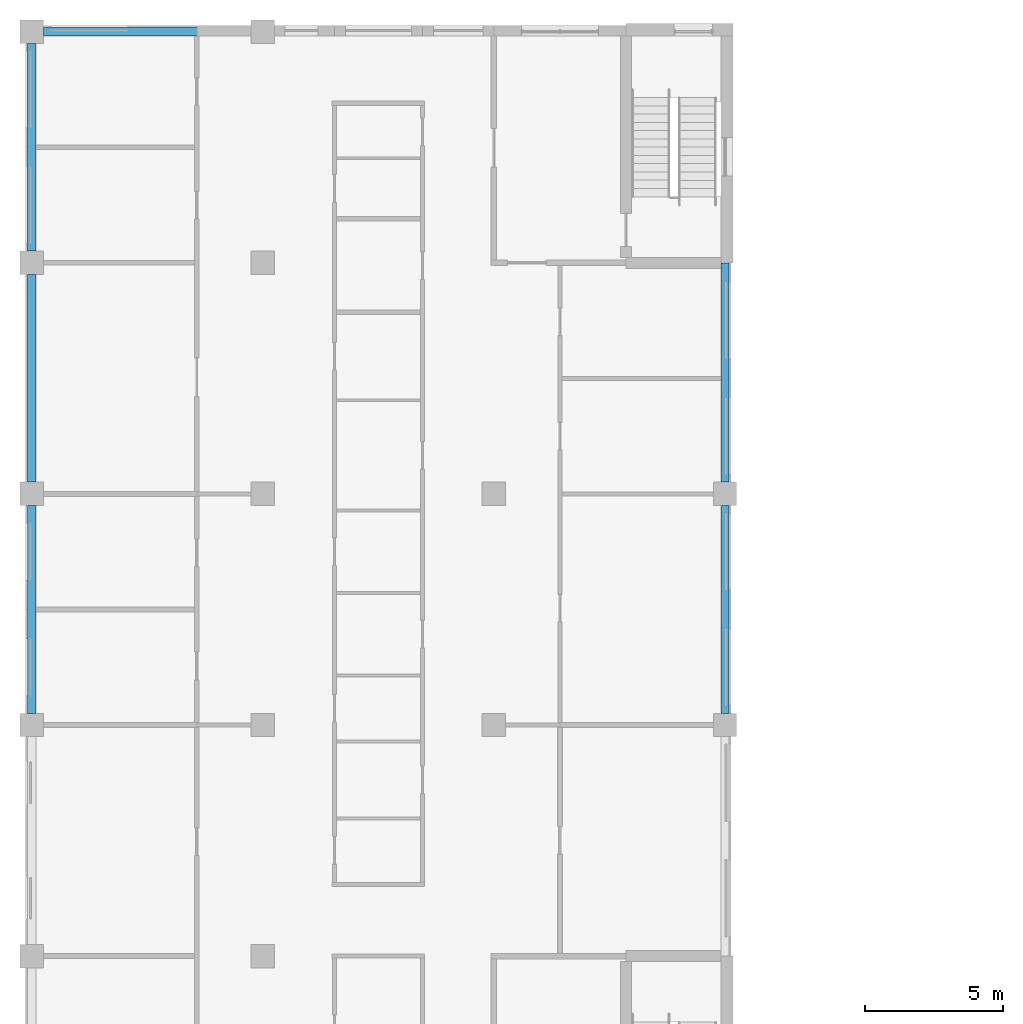
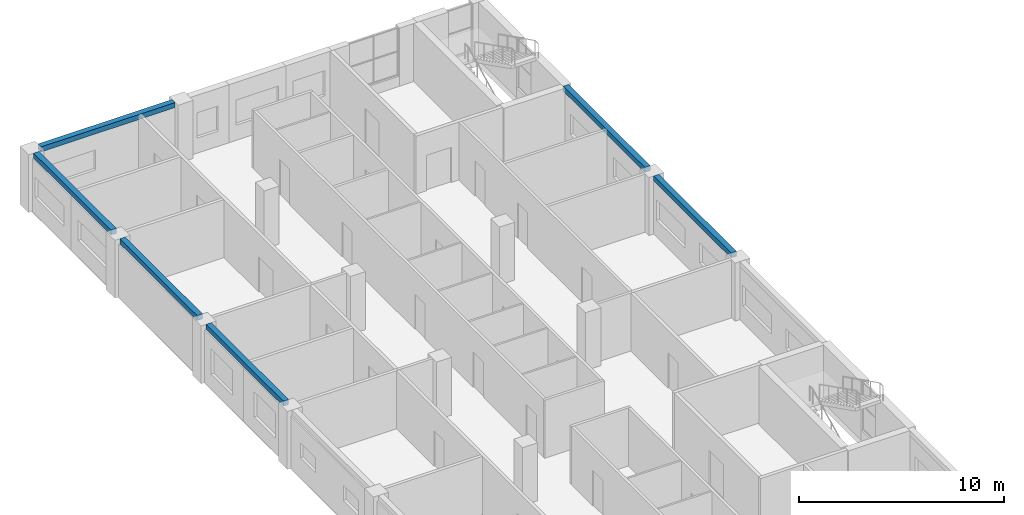
# One storey, part 32 of 94: 6 beams.
"""IFC4 building model written with IfcOpenShell, lengths in metres."""

import ifcopenshell
import ifcopenshell.guid

model = None  # the IFC model being written
_history = None  # IfcOwnerHistory: only IFC2X3 demands one
_inside = {}  # id of a spatial element -> (the spatial element, [elements in it])
_under = {}  # id of a project, library or spatial element -> (it, [spatial elements below it])
_declared = {}  # id of a project -> (the project, [libraries it declares])
_typed = {}  # id of a type object -> (the type object, [elements of that type])
_made_of = {}  # id of a material, layer set ... -> (it, [elements and type objects made of it])


def new_model(schema):
    """Start an empty IFC model of exactly this schema.

    Asked for "IFC4X3", IfcOpenShell would pick the latest addendum, in which some entities
    have other attributes; the version numbers below select the first issue.
    IFC2X3 requires an IfcOwnerHistory on every rooted entity: one is made here for all.
    """
    global model, _history
    if schema == "IFC4X3":
        model = ifcopenshell.file(schema_version=(4, 3, 0, 0))
    else:
        model = ifcopenshell.file(schema=schema)
    _inside.clear()
    _under.clear()
    _declared.clear()
    _typed.clear()
    _made_of.clear()
    _history = None
    if model.schema == "IFC2X3":
        org = make("IfcOrganization", Name="unknown")
        user = make(
            "IfcPersonAndOrganization",
            ThePerson=make("IfcPerson", FamilyName="unknown"),
            TheOrganization=org,
        )
        app = make(
            "IfcApplication",
            ApplicationDeveloper=org,
            Version="unknown",
            ApplicationFullName="unknown",
            ApplicationIdentifier="unknown",
        )
        _history = make(
            "IfcOwnerHistory",
            OwningUser=user,
            OwningApplication=app,
            ChangeAction="ADDED",
            CreationDate=0,
        )
    return model


def make(cls, **values):
    """One entity of the class cls with the attributes given. An attribute that is None is left unset."""
    return model.create_entity(
        cls, **{name: value for name, value in values.items() if value is not None}
    )


def rooted(cls, **values):
    """An entity with a GlobalId (a new one), such as an element, a storey or a relation."""
    return make(cls, GlobalId=ifcopenshell.guid.new(), OwnerHistory=_history, **values)


def si_unit(unit_type, name, prefix=None):
    """IfcSIUnit, for example si_unit("LENGTHUNIT", "METRE", prefix="MILLI")."""
    return make("IfcSIUnit", UnitType=unit_type, Prefix=prefix, Name=name)


def assignment(units):
    """IfcUnitAssignment: the units of a project."""
    return None if units is None else make("IfcUnitAssignment", Units=units)


def point(xyz):
    """IfcCartesianPoint."""
    return None if xyz is None else make("IfcCartesianPoint", Coordinates=xyz)


def direction(xyz):
    """IfcDirection."""
    return None if xyz is None else make("IfcDirection", DirectionRatios=xyz)


def frame(location, z_axis=None, x_axis=None):
    """IfcAxis2Placement3D, a coordinate frame: its origin and axes. An axis left out is left unset."""
    return make(
        "IfcAxis2Placement3D",
        Location=point(location),
        Axis=direction(z_axis),
        RefDirection=direction(x_axis),
    )


def frame_2d(location, x_axis=None):
    """IfcAxis2Placement2D, a coordinate frame in the plane: its origin and x axis."""
    return make(
        "IfcAxis2Placement2D", Location=point(location), RefDirection=direction(x_axis)
    )


def origin():
    """The frame at (0, 0, 0) with its axes left unset."""
    return frame((0.0, 0.0, 0.0))


def origin_2d():
    """The frame at (0, 0) in the plane with its x axis left unset."""
    return frame_2d((0.0, 0.0))


def place(relative_to, where):
    """IfcLocalPlacement: puts the frame where relative to a parent placement (None: the world)."""
    return make(
        "IfcLocalPlacement", PlacementRelTo=relative_to, RelativePlacement=where
    )


def context(
    kind, dimensions, precision=None, world=None, true_north=None, identifier=None
):
    """IfcGeometricRepresentationContext, for example the 3D "Model" context."""
    return make(
        "IfcGeometricRepresentationContext",
        ContextIdentifier=identifier,
        ContextType=kind,
        CoordinateSpaceDimension=dimensions,
        Precision=precision,
        WorldCoordinateSystem=world,
        TrueNorth=true_north,
    )


def subcontext(parent, identifier, kind, view, scale=None):
    """IfcGeometricRepresentationSubContext, for example "Body" below "Model"."""
    return make(
        "IfcGeometricRepresentationSubContext",
        ContextIdentifier=identifier,
        ContextType=kind,
        ParentContext=parent,
        TargetScale=scale,
        TargetView=view,
    )


def project(units=None, contexts=None):
    """IfcProject with its units and contexts."""
    return rooted(
        "IfcProject",
        Name="project",
        RepresentationContexts=contexts,
        UnitsInContext=assignment(units),
    )


def spatial(cls, under=None, at=None, **own):
    """A site, building, storey or space (cls), placed at a placement, below another one or the project."""
    s = rooted(cls, ObjectPlacement=at, **own)
    if under is not None:
        _under.setdefault(under.id(), (under, []))[1].append(s)
    return s


def profile(cls, at=None, kind="AREA", **sizes):
    """A parametric profile (cls). Its sizes go by their IFC names, for example OverallWidth=200.0."""
    return make(cls, ProfileType=kind, Position=at, **sizes)


def rectangle(**sizes):
    """IfcRectangleProfileDef."""
    return profile("IfcRectangleProfileDef", **sizes)


def extrude(swept, where, along, depth):
    """IfcExtrudedAreaSolid: the profile swept, set in the frame where, extruded along a direction by depth."""
    return make(
        "IfcExtrudedAreaSolid",
        SweptArea=swept,
        Position=where,
        ExtrudedDirection=direction(along),
        Depth=depth,
    )


def shape(context_of_items, identifier, shape_type, items):
    """IfcShapeRepresentation: the items that make up one representation, for example the "Body"."""
    return make(
        "IfcShapeRepresentation",
        ContextOfItems=context_of_items,
        RepresentationIdentifier=identifier,
        RepresentationType=shape_type,
        Items=items,
    )


def material(Name=None, Category=None):
    """IfcMaterial."""
    return make("IfcMaterial", Name=Name, Category=Category)


def material_profile(
    of_material, cross_section, Name=None, Category=None, Priority=None
):
    """IfcMaterialProfile: a cross section and its material."""
    return make(
        "IfcMaterialProfile",
        Name=Name,
        Material=of_material,
        Profile=cross_section,
        Priority=Priority,
        Category=Category,
    )


def profile_set(profiles, Name=None, composite=None):
    """IfcMaterialProfileSet."""
    return make(
        "IfcMaterialProfileSet",
        Name=Name,
        MaterialProfiles=profiles,
        CompositeProfile=composite,
    )


def made_of(thing, what):
    """Note that an element or type object is made of a material, layer set ...; save() writes the relation."""
    if what is not None:
        _made_of.setdefault(what.id(), (what, []))[1].append(thing)
    return thing


def type_object(cls, material=None, **own):
    """A type object (cls), such as IfcWallType, which elements share."""
    return made_of(rooted(cls, **own), material)


def element(
    cls,
    number,
    at=None,
    inside=None,
    cuts=None,
    type_object=None,
    material=None,
    context=None,
    identifier="Body",
    shape_type=None,
    held_by="IfcProductDefinitionShape",
    body=None,
    shapes=None,
    **own,
):
    """One element of the class cls, such as IfcWall. Its Tag is "e" and its number.

    at: its placement. inside: the storey or other place that contains it. cuts: it is an
    opening in that element (IfcRelVoidsElement). A single representation is given by context,
    identifier, shape_type and body (its items); several are given by shapes. held_by: the class
    of the entity that holds the representations. save() writes the other relations.
    """
    e = rooted(cls, Tag="e%d" % number, ObjectPlacement=at, **own)
    if body is not None:
        shapes = [shape(context, identifier, shape_type, body)]
    if shapes is not None:
        e.Representation = make(held_by, Representations=shapes)
    if inside is not None:
        _inside.setdefault(inside.id(), (inside, []))[1].append(e)
    if cuts is not None:
        rooted(
            "IfcRelVoidsElement", RelatingBuildingElement=cuts, RelatedOpeningElement=e
        )
    if type_object is not None:
        _typed.setdefault(type_object.id(), (type_object, []))[1].append(e)
    return made_of(e, material)


def aggregate(whole, parts):
    """IfcRelAggregates: a whole, such as a stair, and the parts it consists of."""
    return rooted("IfcRelAggregates", RelatingObject=whole, RelatedObjects=parts)


def save(model, path):
    """Write the relations noted so far, then the file.

    IfcRelAggregates (storeys below a building ...), IfcRelContainedInSpatialStructure (elements
    in a storey), IfcRelDefinesByType, IfcRelAssociatesMaterial and IfcRelDeclares: one each for
    every whole, place, type object, material and project.
    """
    for whole, parts in _under.values():
        aggregate(whole, parts)
    for where, things in _inside.values():
        rooted(
            "IfcRelContainedInSpatialStructure",
            RelatedElements=things,
            RelatingStructure=where,
        )
    for kind, things in _typed.values():
        rooted("IfcRelDefinesByType", RelatedObjects=things, RelatingType=kind)
    for what, things in _made_of.values():
        rooted("IfcRelAssociatesMaterial", RelatedObjects=things, RelatingMaterial=what)
    for by, libraries in _declared.values():
        rooted("IfcRelDeclares", RelatingContext=by, RelatedDefinitions=libraries)
    model.write(path)


model = new_model("IFC4")

# Units and contexts
model_context = context("Model", 3, precision=1e-05, world=origin(), true_north=direction((0.0, 1.0)))
body_context = subcontext(model_context, "Body", "Model", "MODEL_VIEW")
ifc_project = project(units=[si_unit("LENGTHUNIT", "METRE"), si_unit("AREAUNIT", "SQUARE_METRE"), si_unit("VOLUMEUNIT", "CUBIC_METRE"), si_unit("PLANEANGLEUNIT", "RADIAN"), si_unit("MASSUNIT", "GRAM", prefix="KILO")], contexts=[model_context])

# Site, building, storey
site_placement = place(None, origin())
site = spatial("IfcSite", under=ifc_project, at=site_placement, CompositionType="ELEMENT")
building_placement = place(site_placement, origin())
building = spatial("IfcBuilding", under=site, at=building_placement, Name="Yavir Park General Hospital", CompositionType="ELEMENT")
storey_placement = place(building_placement, frame((0.0, 0.0, 4.5)))
storey = spatial("IfcBuildingStorey", under=building, at=storey_placement, Name="L01", CompositionType="ELEMENT", Elevation=4.5)

# Beams
ifc_material = material(Name="Concrete C35/45", Category="concrete")
ifc_material_profile = material_profile(ifc_material, rectangle(XDim=0.300048828125, YDim=0.300048828125, at=origin_2d()), Name="RC300x300")
ifc_profile_set = profile_set([ifc_material_profile], Name="Concrete C35/45")
beam_type = type_object("IfcBeamType", Name="RC BEAM 300x300 edge beam", PredefinedType="BEAM", material=ifc_profile_set)
for number, where, z_axis, x_axis, name in (
    (1, (0.425048828125, 117.60009765625, 3.300048828125), (1.0, 0.0, 0.0), (0.0, 1.0, 0.0), "B:EDGE:L01:028"),
    (2, (0.0, 92.824951171875, 3.300048828125), (0.0, 1.0, 0.0), (-1.0, 0.0, 0.0), "B:EDGE:L01:039"),
):
    element("IfcBeam", number, at=place(storey_placement, frame(where, z_axis=z_axis, x_axis=x_axis)), inside=storey, type_object=beam_type, Name=name, PredefinedType="BEAM", context=body_context, shape_type="SweptSolid", body=[
        extrude(rectangle(XDim=0.300048828125, YDim=0.300048828125, at=origin_2d()), origin(), (0.0, 0.0, 1.0), 7.550048828125),
    ])
beam_1_placement = place(storey_placement, frame((0.0, 101.22509765625, 3.300048828125), z_axis=(0.0, 1.0, 0.0), x_axis=(-1.0, 0.0, 0.0)))
element("IfcBeam", 3, at=beam_1_placement, inside=storey, type_object=beam_type, Name="B:EDGE:L01:040", PredefinedType="BEAM", context=body_context, shape_type="SweptSolid", body=[
    extrude(rectangle(XDim=0.300048828125, YDim=0.300048828125, at=origin_2d()), origin(), (0.0, 0.0, 1.0), 7.5498046875),
])
for number, where, z_axis, x_axis, name in (
    (4, (0.0, 109.625, 3.300048828125), (0.0, 1.0, 0.0), (-1.0, 0.0, 0.0), "B:EDGE:L01:041"),
    (5, (25.199951171875, 92.824951171875, 3.300048828125), (0.0, 1.0, 0.0), (-1.0, 0.0, 0.0), "B:EDGE:L01:046"),
):
    element("IfcBeam", number, at=place(storey_placement, frame(where, z_axis=z_axis, x_axis=x_axis)), inside=storey, type_object=beam_type, Name=name, PredefinedType="BEAM", context=body_context, shape_type="SweptSolid", body=[
        extrude(rectangle(XDim=0.300048828125, YDim=0.300048828125, at=origin_2d()), origin(), (0.0, 0.0, 1.0), 7.550048828125),
    ])
beam_2_placement = place(storey_placement, frame((25.199951171875, 101.22509765625, 3.300048828125), z_axis=(0.0, 1.0, 0.0), x_axis=(-1.0, 0.0, 0.0)))
element("IfcBeam", 6, at=beam_2_placement, inside=storey, type_object=beam_type, Name="B:EDGE:L01:047", PredefinedType="BEAM", context=body_context, shape_type="SweptSolid", body=[
    extrude(rectangle(XDim=0.300048828125, YDim=0.300048828125, at=origin_2d()), origin(), (0.0, 0.0, 1.0), 7.974853515625),
])

save(model, "model.ifc")
